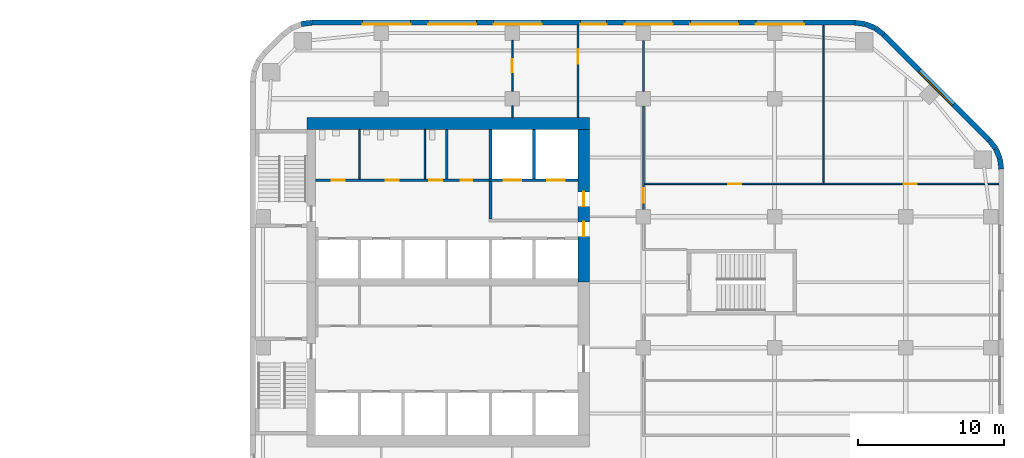
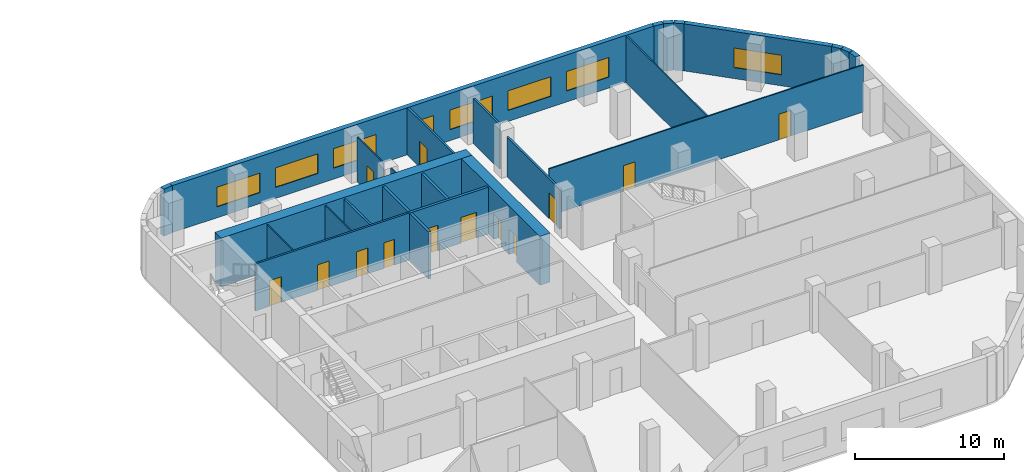
# One storey, part 10 of 14: 26 walls, 13 doors, 8 windows, 21 openings.
"""IFC4 building model written with IfcOpenShell, lengths in metres."""

from ifc_helpers import new_model, si_unit, direction, frame, frame_2d, origin, place, context, subcontext, project, spatial, rectangle, extrude, material, layer, layer_set, type_object, element, fill, save


model = new_model("IFC4")

# Units and contexts
model_context = context("Model", 3, precision=1e-05, world=origin(), true_north=direction((0.0, 1.0)))
body_context = subcontext(model_context, "Body", "Model", "MODEL_VIEW")
ifc_project = project(units=[si_unit("LENGTHUNIT", "METRE"), si_unit("AREAUNIT", "SQUARE_METRE"), si_unit("VOLUMEUNIT", "CUBIC_METRE"), si_unit("PLANEANGLEUNIT", "RADIAN"), si_unit("MASSUNIT", "GRAM", prefix="KILO")], contexts=[model_context])

# Site, building, storey
site_placement = place(None, origin())
site = spatial("IfcSite", under=ifc_project, at=site_placement, CompositionType="ELEMENT")
building_placement = place(site_placement, origin())
building = spatial("IfcBuilding", under=site, at=building_placement, Name="Cinnabar Reach Civic Tower", CompositionType="ELEMENT")
storey_placement = place(building_placement, frame((0.0, 0.0, 124.0)))
storey = spatial("IfcBuildingStorey", under=building, at=storey_placement, Name="L29", CompositionType="ELEMENT", Elevation=124.0)

# Walls
ifc_material_1 = material(Name="Facing brick with insulated backing", Category="masonry")
ifc_layer_1 = layer(ifc_material_1, 0.36)
ifc_layer_set_1 = layer_set([ifc_layer_1], Name="Brick corner wall")
wall_type_1 = type_object("IfcWallType", Name="Brick corner wall", PredefinedType="STANDARD", material=ifc_layer_set_1)
for number, where, z_axis, x_axis, name in (
    (1, (51.567, 39.2686, 0.0), (0.0, 0.0, 1.0), (-0.13055608231, 0.99144092581, 0.0), "Brick corner wall"),
    (2, (51.4681, 39.9973, 0.0), (0.0, 0.0, 1.0), (-0.382702709855, 0.923871547278, 0.0), "Brick corner wall"),
):
    element("IfcWall", number, at=place(storey_placement, frame(where, z_axis=z_axis, x_axis=x_axis)), inside=storey, type_object=wall_type_1, Name=name, PredefinedType="STANDARD", context=body_context, shape_type="SweptSolid", body=[
        extrude(rectangle(XDim=0.7131, YDim=0.36, at=frame_2d((0.3565, 0.0))), origin(), (0.0, 0.0, 1.0), 3.85),
    ])
for number, where, z_axis, x_axis, name in (
    (3, (51.184, 40.6755, 0.0), (0.0, 0.0, 1.0), (-0.608802368033, 0.793321924995, 0.0), "Brick corner wall"),
    (4, (43.4913, 48.4998, 0.0), (0.0, 0.0, 1.0), (-0.793321924995, 0.608802368033, 0.0), "Brick corner wall"),
):
    element("IfcWall", number, at=place(storey_placement, frame(where, z_axis=z_axis, x_axis=x_axis)), inside=storey, type_object=wall_type_1, Name=name, PredefinedType="STANDARD", context=body_context, shape_type="SweptSolid", body=[
        extrude(rectangle(XDim=0.7132, YDim=0.36, at=frame_2d((0.3566, 0.0))), origin(), (0.0, 0.0, 1.0), 3.85),
    ])
for number, where, z_axis, x_axis, name in (
    (5, (42.9061, 48.9452, 0.0), (0.0, 0.0, 1.0), (-0.923871547278, 0.382702709855, 0.0), "Brick corner wall"),
    (6, (42.2256, 49.2239, 0.0), (0.0, 0.0, 1.0), (-0.99144092581, 0.13055608231, 0.0), "Brick corner wall"),
    (7, (4.2314, 49.317, 0.0), (0.0, 0.0, 1.0), (-0.99144092581, -0.13055608231, 0.0), "Brick corner wall"),
):
    element("IfcWall", number, at=place(storey_placement, frame(where, z_axis=z_axis, x_axis=x_axis)), inside=storey, type_object=wall_type_1, Name=name, PredefinedType="STANDARD", context=body_context, shape_type="SweptSolid", body=[
        extrude(rectangle(XDim=0.7131, YDim=0.36, at=frame_2d((0.3565, 0.0))), origin(), (0.0, 0.0, 1.0), 3.85),
    ])

# Wall, opening, window
ifc_layer_2 = layer(ifc_material_1, 0.36)
ifc_layer_set_2 = layer_set([ifc_layer_2], Name="Brick pier and spandrel wall")
wall_type_2 = type_object("IfcWallType", Name="Brick pier and spandrel wall", PredefinedType="STANDARD", material=ifc_layer_set_2)
wall_1_placement = place(storey_placement, frame((50.744, 41.2514, 0.0), z_axis=(0.0, 0.0, 1.0), x_axis=(-0.707106781187, 0.707106781187, 0.0)))
wall_1 = element("IfcWall", 8, at=wall_1_placement, inside=storey, type_object=wall_type_2, Name="Brick facade wall", PredefinedType="STANDARD", context=body_context, shape_type="SweptSolid", body=[
    extrude(rectangle(XDim=10.2426, YDim=0.36, at=frame_2d((5.1213, 0.0))), origin(), (0.0, 0.0, 1.0), 3.85),
])
opening_1_placement = place(wall_1_placement, frame((3.4713, 0.0, 0.9)))
opening_1 = element("IfcOpeningElement", 9, at=opening_1_placement, cuts=wall_1, Name="Opening W1623", PredefinedType="OPENING", context=body_context, shape_type="SweptSolid", body=[
    extrude(rectangle(XDim=3.3, YDim=1.6, at=frame_2d((1.65, 0.8))), frame((0.0, 0.19, 0.0), z_axis=(0.0, -1.0, 0.0), x_axis=(1.0, 0.0, 0.0)), (0.0, 0.0, 1.0), 0.38),
])
ifc_material_2 = material(Name="Clear double glazing in aluminium frame", Category="aluminium")
window_type_1 = type_object("IfcWindowType", Name="Deep-set window A", PartitioningType="SINGLE_PANEL", PredefinedType="WINDOW", material=ifc_material_2)
window_1_placement = place(opening_1_placement, origin())
window_1 = element("IfcWindow", 10, at=window_1_placement, inside=storey, type_object=window_type_1, Name="Window northeast face", OverallHeight=1.6, OverallWidth=3.3, PartitioningType="SINGLE_PANEL", PredefinedType="WINDOW", context=body_context, shape_type="SweptSolid", body=[
    extrude(rectangle(XDim=3.3, YDim=1.6, at=frame_2d((1.65, 0.8))), frame((0.0, 0.13, 0.0), z_axis=(0.0, -1.0, 0.0), x_axis=(1.0, 0.0, 0.0)), (0.0, 0.0, 1.0), 0.06),
])
fill(opening_1, window_1)

# Wall, openings, windows
wall_2_placement = place(storey_placement, frame((41.5074, 49.32, 0.0), z_axis=(0.0, 0.0, 1.0), x_axis=(-1.0, 0.0, 0.0)))
wall_2 = element("IfcWall", 11, at=wall_2_placement, inside=storey, type_object=wall_type_2, Name="Brick facade wall", PredefinedType="STANDARD", context=body_context, shape_type="SweptSolid", body=[
    extrude(rectangle(XDim=37.2648, YDim=0.36, at=frame_2d((18.6324, 0.0))), origin(), (0.0, 0.0, 1.0), 3.85),
])
opening_2_placement = place(wall_2_placement, frame((3.4824, 0.0, 0.9)))
opening_2 = element("IfcOpeningElement", 12, at=opening_2_placement, cuts=wall_2, Name="Opening W1624", PredefinedType="OPENING", context=body_context, shape_type="SweptSolid", body=[
    extrude(rectangle(XDim=3.3, YDim=1.6, at=frame_2d((1.65, 0.8))), frame((0.0, 0.19, 0.0), z_axis=(0.0, -1.0, 0.0), x_axis=(1.0, 0.0, 0.0)), (0.0, 0.0, 1.0), 0.38),
])
opening_3_placement = place(wall_2_placement, frame((7.9824, 0.0, 0.9)))
opening_3 = element("IfcOpeningElement", 13, at=opening_3_placement, cuts=wall_2, Name="Opening W1625", PredefinedType="OPENING", context=body_context, shape_type="SweptSolid", body=[
    extrude(rectangle(XDim=3.3, YDim=1.6, at=frame_2d((1.65, 0.8))), frame((0.0, 0.19, 0.0), z_axis=(0.0, -1.0, 0.0), x_axis=(1.0, 0.0, 0.0)), (0.0, 0.0, 1.0), 0.38),
])
opening_4_placement = place(wall_2_placement, frame((12.4824, 0.0, 0.9)))
opening_4 = element("IfcOpeningElement", 14, at=opening_4_placement, cuts=wall_2, Name="Opening W1626", PredefinedType="OPENING", context=body_context, shape_type="SweptSolid", body=[
    extrude(rectangle(XDim=3.3, YDim=1.6, at=frame_2d((1.65, 0.8))), frame((0.0, 0.19, 0.0), z_axis=(0.0, -1.0, 0.0), x_axis=(1.0, 0.0, 0.0)), (0.0, 0.0, 1.0), 0.38),
])
opening_5_placement = place(wall_2_placement, frame((17.0324, 0.0, 0.9)))
opening_5 = element("IfcOpeningElement", 15, at=opening_5_placement, cuts=wall_2, Name="Opening W1627", PredefinedType="OPENING", context=body_context, shape_type="SweptSolid", body=[
    extrude(rectangle(XDim=1.8, YDim=1.6, at=frame_2d((0.9, 0.8))), frame((0.0, 0.19, 0.0), z_axis=(0.0, -1.0, 0.0), x_axis=(1.0, 0.0, 0.0)), (0.0, 0.0, 1.0), 0.38),
])
opening_6_placement = place(wall_2_placement, frame((21.4824, 0.0, 0.9)))
opening_6 = element("IfcOpeningElement", 16, at=opening_6_placement, cuts=wall_2, Name="Opening W1628", PredefinedType="OPENING", context=body_context, shape_type="SweptSolid", body=[
    extrude(rectangle(XDim=3.3, YDim=1.6, at=frame_2d((1.65, 0.8))), frame((0.0, 0.19, 0.0), z_axis=(0.0, -1.0, 0.0), x_axis=(1.0, 0.0, 0.0)), (0.0, 0.0, 1.0), 0.38),
])
opening_7_placement = place(wall_2_placement, frame((25.9824, 0.0, 0.9)))
opening_7 = element("IfcOpeningElement", 17, at=opening_7_placement, cuts=wall_2, Name="Opening W1629", PredefinedType="OPENING", context=body_context, shape_type="SweptSolid", body=[
    extrude(rectangle(XDim=3.3, YDim=1.6, at=frame_2d((1.65, 0.8))), frame((0.0, 0.19, 0.0), z_axis=(0.0, -1.0, 0.0), x_axis=(1.0, 0.0, 0.0)), (0.0, 0.0, 1.0), 0.38),
])
opening_8_placement = place(wall_2_placement, frame((30.4824, 0.0, 0.9)))
opening_8 = element("IfcOpeningElement", 18, at=opening_8_placement, cuts=wall_2, Name="Opening W1630", PredefinedType="OPENING", context=body_context, shape_type="SweptSolid", body=[
    extrude(rectangle(XDim=3.3, YDim=1.6, at=frame_2d((1.65, 0.8))), frame((0.0, 0.19, 0.0), z_axis=(0.0, -1.0, 0.0), x_axis=(1.0, 0.0, 0.0)), (0.0, 0.0, 1.0), 0.38),
])
window_2_placement = place(opening_2_placement, origin())
window_2 = element("IfcWindow", 19, at=window_2_placement, inside=storey, type_object=window_type_1, Name="Window north face", OverallHeight=1.6, OverallWidth=3.3, PartitioningType="SINGLE_PANEL", PredefinedType="WINDOW", context=body_context, shape_type="SweptSolid", body=[
    extrude(rectangle(XDim=3.3, YDim=1.6, at=frame_2d((1.65, 0.8))), frame((0.0, 0.13, 0.0), z_axis=(0.0, -1.0, 0.0), x_axis=(1.0, 0.0, 0.0)), (0.0, 0.0, 1.0), 0.06),
])
fill(opening_2, window_2)
window_3_placement = place(opening_3_placement, origin())
window_3 = element("IfcWindow", 20, at=window_3_placement, inside=storey, type_object=window_type_1, Name="Window north face", OverallHeight=1.6, OverallWidth=3.3, PartitioningType="SINGLE_PANEL", PredefinedType="WINDOW", context=body_context, shape_type="SweptSolid", body=[
    extrude(rectangle(XDim=3.3, YDim=1.6, at=frame_2d((1.65, 0.8))), frame((0.0, 0.13, 0.0), z_axis=(0.0, -1.0, 0.0), x_axis=(1.0, 0.0, 0.0)), (0.0, 0.0, 1.0), 0.06),
])
fill(opening_3, window_3)
window_4_placement = place(opening_4_placement, origin())
window_4 = element("IfcWindow", 21, at=window_4_placement, inside=storey, type_object=window_type_1, Name="Window north face", OverallHeight=1.6, OverallWidth=3.3, PartitioningType="SINGLE_PANEL", PredefinedType="WINDOW", context=body_context, shape_type="SweptSolid", body=[
    extrude(rectangle(XDim=3.3, YDim=1.6, at=frame_2d((1.65, 0.8))), frame((0.0, 0.13, 0.0), z_axis=(0.0, -1.0, 0.0), x_axis=(1.0, 0.0, 0.0)), (0.0, 0.0, 1.0), 0.06),
])
fill(opening_4, window_4)
window_5_placement = place(opening_6_placement, origin())
window_5 = element("IfcWindow", 22, at=window_5_placement, inside=storey, type_object=window_type_1, Name="Window north face", OverallHeight=1.6, OverallWidth=3.3, PartitioningType="SINGLE_PANEL", PredefinedType="WINDOW", context=body_context, shape_type="SweptSolid", body=[
    extrude(rectangle(XDim=3.3, YDim=1.6, at=frame_2d((1.65, 0.8))), frame((0.0, 0.13, 0.0), z_axis=(0.0, -1.0, 0.0), x_axis=(1.0, 0.0, 0.0)), (0.0, 0.0, 1.0), 0.06),
])
fill(opening_6, window_5)
window_6_placement = place(opening_7_placement, origin())
window_6 = element("IfcWindow", 23, at=window_6_placement, inside=storey, type_object=window_type_1, Name="Window north face", OverallHeight=1.6, OverallWidth=3.3, PartitioningType="SINGLE_PANEL", PredefinedType="WINDOW", context=body_context, shape_type="SweptSolid", body=[
    extrude(rectangle(XDim=3.3, YDim=1.6, at=frame_2d((1.65, 0.8))), frame((0.0, 0.13, 0.0), z_axis=(0.0, -1.0, 0.0), x_axis=(1.0, 0.0, 0.0)), (0.0, 0.0, 1.0), 0.06),
])
fill(opening_7, window_6)
window_7_placement = place(opening_8_placement, origin())
window_7 = element("IfcWindow", 24, at=window_7_placement, inside=storey, type_object=window_type_1, Name="Window north face", OverallHeight=1.6, OverallWidth=3.3, PartitioningType="SINGLE_PANEL", PredefinedType="WINDOW", context=body_context, shape_type="SweptSolid", body=[
    extrude(rectangle(XDim=3.3, YDim=1.6, at=frame_2d((1.65, 0.8))), frame((0.0, 0.13, 0.0), z_axis=(0.0, -1.0, 0.0), x_axis=(1.0, 0.0, 0.0)), (0.0, 0.0, 1.0), 0.06),
])
fill(opening_8, window_7)
window_type_2 = type_object("IfcWindowType", Name="Deep-set window D", PartitioningType="SINGLE_PANEL", PredefinedType="WINDOW", material=ifc_material_2)
window_8_placement = place(opening_5_placement, origin())
window_8 = element("IfcWindow", 25, at=window_8_placement, inside=storey, type_object=window_type_2, Name="Window north face", OverallHeight=1.6, OverallWidth=1.8, PartitioningType="SINGLE_PANEL", PredefinedType="WINDOW", context=body_context, shape_type="SweptSolid", body=[
    extrude(rectangle(XDim=1.8, YDim=1.6, at=frame_2d((0.9, 0.8))), frame((0.0, 0.13, 0.0), z_axis=(0.0, -1.0, 0.0), x_axis=(1.0, 0.0, 0.0)), (0.0, 0.0, 1.0), 0.06),
])
fill(opening_5, window_8)

# Wall
ifc_material_3 = material(Name="Concrete C70", Category="concrete")
ifc_layer_3 = layer(ifc_material_3, 0.8)
ifc_layer_set_3 = layer_set([ifc_layer_3], Name="Core wall 800 EI 180")
wall_type_3 = type_object("IfcWallType", Name="Core wall 800 EI 180", PredefinedType="SOLIDWALL", material=ifc_layer_set_3)
wall_3_placement = place(storey_placement, frame((23.3, 42.4, 0.0), z_axis=(0.0, 0.0, 1.0), x_axis=(-1.0, 0.0, 0.0)))
element("IfcWall", 26, at=wall_3_placement, inside=storey, type_object=wall_type_3, Name="Core wall T1 L29 N", PredefinedType="SOLIDWALL", context=body_context, shape_type="SweptSolid", body=[
    extrude(rectangle(XDim=19.4, YDim=0.8, at=frame_2d((9.7, 0.0))), origin(), (0.0, 0.0, 1.0), 4.0),
])

# Wall, openings, doors
wall_4_placement = place(storey_placement, frame((22.9, 31.5, 0.0), z_axis=(0.0, 0.0, 1.0), x_axis=(0.0, 1.0, 0.0)))
wall_4 = element("IfcWall", 27, at=wall_4_placement, inside=storey, type_object=wall_type_3, Name="Core wall T1 L29 E2", PredefinedType="SOLIDWALL", context=body_context, shape_type="SweptSolid", body=[
    extrude(rectangle(XDim=10.5, YDim=0.8, at=frame_2d((5.25, 0.0))), origin(), (0.0, 0.0, 1.0), 4.0),
])
opening_9_placement = place(wall_4_placement, frame((3.15, 0.0, 0.0)))
opening_9 = element("IfcOpeningElement", 28, at=opening_9_placement, cuts=wall_4, Name="Opening D4189", PredefinedType="OPENING", context=body_context, shape_type="SweptSolid", body=[
    extrude(rectangle(XDim=1.0, YDim=2.1, at=frame_2d((0.5, 1.05))), frame((0.0, 0.41, 0.0), z_axis=(0.0, -1.0, 0.0), x_axis=(1.0, 0.0, 0.0)), (0.0, 0.0, 1.0), 0.82),
])
opening_10_placement = place(wall_4_placement, frame((5.2, 0.0, 0.0)))
opening_10 = element("IfcOpeningElement", 29, at=opening_10_placement, cuts=wall_4, Name="Opening D4190", PredefinedType="OPENING", context=body_context, shape_type="SweptSolid", body=[
    extrude(rectangle(XDim=1.0, YDim=2.1, at=frame_2d((0.5, 1.05))), frame((0.0, 0.41, 0.0), z_axis=(0.0, -1.0, 0.0), x_axis=(1.0, 0.0, 0.0)), (0.0, 0.0, 1.0), 0.82),
])
ifc_material_4 = material(Name="Timber door leaf in steel frame", Category="steel")
door_type_1 = type_object("IfcDoorType", Name="Firefighting lobby door 1000 x 2100 T1", OperationType="SINGLE_SWING_LEFT", PredefinedType="DOOR", material=ifc_material_4)
door_1_placement = place(opening_10_placement, origin())
door_1 = element("IfcDoor", 30, at=door_1_placement, inside=storey, type_object=door_type_1, Name="Door D4190", OperationType="SINGLE_SWING_RIGHT", OverallHeight=2.1, OverallWidth=1.0, PredefinedType="DOOR", context=body_context, shape_type="SweptSolid", body=[
    extrude(rectangle(XDim=1.0, YDim=2.1, at=frame_2d((0.5, 1.05))), frame((0.0, 0.025, 0.0), z_axis=(0.0, -1.0, 0.0), x_axis=(1.0, 0.0, 0.0)), (0.0, 0.0, 1.0), 0.05),
])
fill(opening_10, door_1)
door_type_2 = type_object("IfcDoorType", Name="Single swing door 1000 x 2100 T1", OperationType="SINGLE_SWING_LEFT", PredefinedType="DOOR", material=ifc_material_4)
door_2_placement = place(opening_9_placement, origin())
door_2 = element("IfcDoor", 31, at=door_2_placement, inside=storey, type_object=door_type_2, Name="Door D4189", OperationType="SINGLE_SWING_RIGHT", OverallHeight=2.1, OverallWidth=1.0, PredefinedType="DOOR", context=body_context, shape_type="SweptSolid", body=[
    extrude(rectangle(XDim=1.0, YDim=2.1, at=frame_2d((0.5, 1.05))), frame((0.0, 0.025, 0.0), z_axis=(0.0, -1.0, 0.0), x_axis=(1.0, 0.0, 0.0)), (0.0, 0.0, 1.0), 0.05),
])
fill(opening_9, door_2)

# Wall, opening, door
ifc_material_5 = material(Name="Gypsum board on steel studs, double layer", Category="steel")
ifc_layer_4 = layer(ifc_material_5, 0.15)
ifc_layer_set_4 = layer_set([ifc_layer_4], Name="Corridor wall 150 T1")
wall_type_4 = type_object("IfcWallType", Name="Corridor wall 150 T1", PredefinedType="PARTITIONING", material=ifc_layer_set_4)
wall_5_placement = place(storey_placement, frame((27.0, 36.5, 0.0), z_axis=(0.0, 0.0, 1.0), x_axis=(0.0, 1.0, 0.0)))
wall_5 = element("IfcWall", 32, at=wall_5_placement, inside=storey, type_object=wall_type_4, Name="Corridor wall 28", PredefinedType="PARTITIONING", context=body_context, shape_type="SweptSolid", body=[
    extrude(rectangle(XDim=7.1, YDim=0.15, at=frame_2d((3.55, 0.0))), origin(), (0.0, 0.0, 1.0), 3.256),
])
opening_11_placement = place(wall_5_placement, frame((0.45, 0.0, 0.0)))
opening_11 = element("IfcOpeningElement", 33, at=opening_11_placement, cuts=wall_5, Name="Opening D4199", PredefinedType="OPENING", context=body_context, shape_type="SweptSolid", body=[
    extrude(rectangle(XDim=1.0, YDim=2.1, at=frame_2d((0.5, 1.05))), frame((0.0, 0.085, 0.0), z_axis=(0.0, -1.0, 0.0), x_axis=(1.0, 0.0, 0.0)), (0.0, 0.0, 1.0), 0.17),
])
door_type_3 = type_object("IfcDoorType", Name="Tenancy entrance door 1000 x 2100 T1", OperationType="SINGLE_SWING_LEFT", PredefinedType="DOOR", material=ifc_material_4)
door_3_placement = place(opening_11_placement, frame((1.0, 0.0, 0.0), z_axis=(0.0, 0.0, 1.0), x_axis=(-1.0, 0.0, 0.0)))
door_3 = element("IfcDoor", 34, at=door_3_placement, inside=storey, type_object=door_type_3, Name="Door D4199", OperationType="SINGLE_SWING_LEFT", OverallHeight=2.1, OverallWidth=1.0, PredefinedType="DOOR", context=body_context, shape_type="SweptSolid", body=[
    extrude(rectangle(XDim=1.0, YDim=2.1, at=frame_2d((0.5, 1.05))), frame((0.0, 0.025, 0.0), z_axis=(0.0, -1.0, 0.0), x_axis=(1.0, 0.0, 0.0)), (0.0, 0.0, 1.0), 0.05),
])
fill(opening_11, door_3)

# Wall
wall_6_placement = place(storey_placement, frame((27.0, 44.6, 0.0), z_axis=(0.0, 0.0, 1.0), x_axis=(0.0, 1.0, 0.0)))
element("IfcWall", 35, at=wall_6_placement, inside=storey, type_object=wall_type_4, Name="Corridor wall 29", PredefinedType="PARTITIONING", context=body_context, shape_type="SweptSolid", body=[
    extrude(rectangle(XDim=3.5, YDim=0.15, at=frame_2d((1.75, 0.0))), origin(), (0.0, 0.0, 1.0), 3.652),
])

# Wall, openings, doors
wall_7_placement = place(storey_placement, frame((4.5, 38.5, 0.0), z_axis=(0.0, 0.0, 1.0), x_axis=(1.0, 0.0, 0.0)))
wall_7 = element("IfcWall", 36, at=wall_7_placement, inside=storey, type_object=wall_type_4, Name="Corridor wall 30", PredefinedType="PARTITIONING", context=body_context, shape_type="SweptSolid", body=[
    extrude(rectangle(XDim=11.9, YDim=0.15, at=frame_2d((5.95, 0.0))), origin(), (0.0, 0.0, 1.0), 3.85),
])
opening_12_placement = place(wall_7_placement, frame((1.1, 0.0, 0.0)))
opening_12 = element("IfcOpeningElement", 37, at=opening_12_placement, cuts=wall_7, Name="Opening D4195", PredefinedType="OPENING", context=body_context, shape_type="SweptSolid", body=[
    extrude(rectangle(XDim=0.9, YDim=2.1, at=frame_2d((0.45, 1.05))), frame((0.0, 0.085, 0.0), z_axis=(0.0, -1.0, 0.0), x_axis=(1.0, 0.0, 0.0)), (0.0, 0.0, 1.0), 0.17),
])
opening_13_placement = place(wall_7_placement, frame((4.8, 0.0, 0.0)))
opening_13 = element("IfcOpeningElement", 38, at=opening_13_placement, cuts=wall_7, Name="Opening D4196", PredefinedType="OPENING", context=body_context, shape_type="SweptSolid", body=[
    extrude(rectangle(XDim=0.9, YDim=2.1, at=frame_2d((0.45, 1.05))), frame((0.0, 0.085, 0.0), z_axis=(0.0, -1.0, 0.0), x_axis=(1.0, 0.0, 0.0)), (0.0, 0.0, 1.0), 0.17),
])
opening_14_placement = place(wall_7_placement, frame((7.8, 0.0, 0.0)))
opening_14 = element("IfcOpeningElement", 39, at=opening_14_placement, cuts=wall_7, Name="Opening D4197", PredefinedType="OPENING", context=body_context, shape_type="SweptSolid", body=[
    extrude(rectangle(XDim=0.9, YDim=2.1, at=frame_2d((0.45, 1.05))), frame((0.0, 0.085, 0.0), z_axis=(0.0, -1.0, 0.0), x_axis=(1.0, 0.0, 0.0)), (0.0, 0.0, 1.0), 0.17),
])
opening_15_placement = place(wall_7_placement, frame((9.95, 0.0, 0.0)))
opening_15 = element("IfcOpeningElement", 40, at=opening_15_placement, cuts=wall_7, Name="Opening D4198", PredefinedType="OPENING", context=body_context, shape_type="SweptSolid", body=[
    extrude(rectangle(XDim=0.8, YDim=2.1, at=frame_2d((0.4, 1.05))), frame((0.0, 0.085, 0.0), z_axis=(0.0, -1.0, 0.0), x_axis=(1.0, 0.0, 0.0)), (0.0, 0.0, 1.0), 0.17),
])
door_type_4 = type_object("IfcDoorType", Name="Riser access door 800 x 2100 T1", OperationType="SINGLE_SWING_LEFT", PredefinedType="DOOR", material=ifc_material_4)
door_4_placement = place(opening_15_placement, origin())
door_4 = element("IfcDoor", 41, at=door_4_placement, inside=storey, type_object=door_type_4, Name="Door D4198", OperationType="SINGLE_SWING_LEFT", OverallHeight=2.1, OverallWidth=0.8, PredefinedType="DOOR", context=body_context, shape_type="SweptSolid", body=[
    extrude(rectangle(XDim=0.8, YDim=2.1, at=frame_2d((0.4, 1.05))), frame((0.0, 0.025, 0.0), z_axis=(0.0, -1.0, 0.0), x_axis=(1.0, 0.0, 0.0)), (0.0, 0.0, 1.0), 0.05),
])
fill(opening_15, door_4)
door_type_5 = type_object("IfcDoorType", Name="Single swing door 900 x 2100 corridor T1", OperationType="SINGLE_SWING_LEFT", PredefinedType="DOOR", material=ifc_material_4)
door_5_placement = place(opening_12_placement, origin())
door_5 = element("IfcDoor", 42, at=door_5_placement, inside=storey, type_object=door_type_5, Name="Door D4195", OperationType="SINGLE_SWING_RIGHT", OverallHeight=2.1, OverallWidth=0.9, PredefinedType="DOOR", context=body_context, shape_type="SweptSolid", body=[
    extrude(rectangle(XDim=0.9, YDim=2.1, at=frame_2d((0.45, 1.05))), frame((0.0, 0.025, 0.0), z_axis=(0.0, -1.0, 0.0), x_axis=(1.0, 0.0, 0.0)), (0.0, 0.0, 1.0), 0.05),
])
fill(opening_12, door_5)
door_6_placement = place(opening_13_placement, origin())
door_6 = element("IfcDoor", 43, at=door_6_placement, inside=storey, type_object=door_type_5, Name="Door D4196", OperationType="SINGLE_SWING_RIGHT", OverallHeight=2.1, OverallWidth=0.9, PredefinedType="DOOR", context=body_context, shape_type="SweptSolid", body=[
    extrude(rectangle(XDim=0.9, YDim=2.1, at=frame_2d((0.45, 1.05))), frame((0.0, 0.025, 0.0), z_axis=(0.0, -1.0, 0.0), x_axis=(1.0, 0.0, 0.0)), (0.0, 0.0, 1.0), 0.05),
])
fill(opening_13, door_6)
door_7_placement = place(opening_14_placement, origin())
door_7 = element("IfcDoor", 44, at=door_7_placement, inside=storey, type_object=door_type_5, Name="Door D4197", OperationType="SINGLE_SWING_RIGHT", OverallHeight=2.1, OverallWidth=0.9, PredefinedType="DOOR", context=body_context, shape_type="SweptSolid", body=[
    extrude(rectangle(XDim=0.9, YDim=2.1, at=frame_2d((0.45, 1.05))), frame((0.0, 0.025, 0.0), z_axis=(0.0, -1.0, 0.0), x_axis=(1.0, 0.0, 0.0)), (0.0, 0.0, 1.0), 0.05),
])
fill(opening_14, door_7)

# Wall, opening, door
wall_8_placement = place(storey_placement, frame((22.5, 42.8, 0.0), z_axis=(0.0, 0.0, 1.0), x_axis=(0.0, 1.0, 0.0)))
wall_8 = element("IfcWall", 45, at=wall_8_placement, inside=storey, type_object=wall_type_4, Name="Corridor wall 33", PredefinedType="PARTITIONING", context=body_context, shape_type="SweptSolid", body=[
    extrude(rectangle(XDim=6.34, YDim=0.15, at=frame_2d((3.17, 0.0))), origin(), (0.0, 0.0, 1.0), 3.85),
])
opening_16_placement = place(wall_8_placement, frame((3.7, 0.0, 0.0)))
opening_16 = element("IfcOpeningElement", 46, at=opening_16_placement, cuts=wall_8, Name="Opening D4210", PredefinedType="OPENING", context=body_context, shape_type="SweptSolid", body=[
    extrude(rectangle(XDim=1.0, YDim=2.1, at=frame_2d((0.5, 1.05))), frame((0.0, 0.085, 0.0), z_axis=(0.0, -1.0, 0.0), x_axis=(1.0, 0.0, 0.0)), (0.0, 0.0, 1.0), 0.17),
])
door_8_placement = place(opening_16_placement, origin())
door_8 = element("IfcDoor", 47, at=door_8_placement, inside=storey, type_object=door_type_3, Name="Door D4210", OperationType="SINGLE_SWING_RIGHT", OverallHeight=2.1, OverallWidth=1.0, PredefinedType="DOOR", context=body_context, shape_type="SweptSolid", body=[
    extrude(rectangle(XDim=1.0, YDim=2.1, at=frame_2d((0.5, 1.05))), frame((0.0, 0.025, 0.0), z_axis=(0.0, -1.0, 0.0), x_axis=(1.0, 0.0, 0.0)), (0.0, 0.0, 1.0), 0.05),
])
fill(opening_16, door_8)

# Walls
ifc_material_6 = material(Name="Blockwork", Category="masonry")
ifc_layer_5 = layer(ifc_material_6, 0.2)
ifc_layer_set_5 = layer_set([ifc_layer_5], Name="Lift shaft wall 200 T1")
wall_type_5 = type_object("IfcWallType", Name="Lift shaft wall 200 T1", PredefinedType="PARTITIONING", material=ifc_layer_set_5)
for number, where, z_axis, x_axis, name in (
    (48, (16.5, 38.6, 0.0), (0.0, 0.0, 1.0), (0.0, 1.0, 0.0), "Lift shaft wall 6"),
    (49, (19.5, 38.6, 0.0), (0.0, 0.0, 1.0), (0.0, 1.0, 0.0), "Lift shaft wall 7"),
):
    element("IfcWall", number, at=place(storey_placement, frame(where, z_axis=z_axis, x_axis=x_axis)), inside=storey, type_object=wall_type_5, Name=name, PredefinedType="PARTITIONING", context=body_context, shape_type="SweptSolid", body=[
        extrude(rectangle(XDim=3.4, YDim=0.2, at=frame_2d((1.7, 0.0))), origin(), (0.0, 0.0, 1.0), 3.85),
    ])

# Wall, openings, doors
ifc_material_7 = material(Name="Gypsum board on steel studs", Category="steel")
ifc_layer_6 = layer(ifc_material_7, 0.1)
ifc_layer_set_6 = layer_set([ifc_layer_6], Name="Partition wall 100 T1")
wall_type_6 = type_object("IfcWallType", Name="Partition wall 100 T1", PredefinedType="PARTITIONING", material=ifc_layer_set_6)
wall_9_placement = place(storey_placement, frame((27.075, 38.25, 0.0), z_axis=(0.0, 0.0, 1.0), x_axis=(1.0, 0.0, 0.0)))
wall_9 = element("IfcWall", 50, at=wall_9_placement, inside=storey, type_object=wall_type_6, Name="Partition wall 42", PredefinedType="PARTITIONING", context=body_context, shape_type="SweptSolid", body=[
    extrude(rectangle(XDim=24.315, YDim=0.1, at=frame_2d((12.1575, 0.0))), origin(), (0.0, 0.0, 1.0), 3.85),
])
opening_17_placement = place(wall_9_placement, frame((5.75, 0.0, 0.0)))
opening_17 = element("IfcOpeningElement", 51, at=opening_17_placement, cuts=wall_9, Name="Opening D4200", PredefinedType="OPENING", context=body_context, shape_type="SweptSolid", body=[
    extrude(rectangle(XDim=0.9, YDim=2.1, at=frame_2d((0.45, 1.05))), frame((0.0, 0.06, 0.0), z_axis=(0.0, -1.0, 0.0), x_axis=(1.0, 0.0, 0.0)), (0.0, 0.0, 1.0), 0.12),
])
opening_18_placement = place(wall_9_placement, frame((17.8, 0.0, 0.0)))
opening_18 = element("IfcOpeningElement", 52, at=opening_18_placement, cuts=wall_9, Name="Opening D4201", PredefinedType="OPENING", context=body_context, shape_type="SweptSolid", body=[
    extrude(rectangle(XDim=0.9, YDim=2.1, at=frame_2d((0.45, 1.05))), frame((0.0, 0.06, 0.0), z_axis=(0.0, -1.0, 0.0), x_axis=(1.0, 0.0, 0.0)), (0.0, 0.0, 1.0), 0.12),
])
door_type_6 = type_object("IfcDoorType", Name="Single swing door 900 x 2100 T1", OperationType="SINGLE_SWING_LEFT", PredefinedType="DOOR", material=ifc_material_4)
door_9_placement = place(opening_17_placement, origin())
door_9 = element("IfcDoor", 53, at=door_9_placement, inside=storey, type_object=door_type_6, Name="Door D4200", OperationType="SINGLE_SWING_RIGHT", OverallHeight=2.1, OverallWidth=0.9, PredefinedType="DOOR", context=body_context, shape_type="SweptSolid", body=[
    extrude(rectangle(XDim=0.9, YDim=2.1, at=frame_2d((0.45, 1.05))), frame((0.0, 0.025, 0.0), z_axis=(0.0, -1.0, 0.0), x_axis=(1.0, 0.0, 0.0)), (0.0, 0.0, 1.0), 0.05),
])
fill(opening_17, door_9)
door_10_placement = place(opening_18_placement, origin())
door_10 = element("IfcDoor", 54, at=door_10_placement, inside=storey, type_object=door_type_6, Name="Door D4201", OperationType="SINGLE_SWING_LEFT", OverallHeight=2.1, OverallWidth=0.9, PredefinedType="DOOR", context=body_context, shape_type="SweptSolid", body=[
    extrude(rectangle(XDim=0.9, YDim=2.1, at=frame_2d((0.45, 1.05))), frame((0.0, 0.025, 0.0), z_axis=(0.0, -1.0, 0.0), x_axis=(1.0, 0.0, 0.0)), (0.0, 0.0, 1.0), 0.05),
])
fill(opening_18, door_10)

# Walls
wall_10_placement = place(storey_placement, frame((39.375, 38.3, 0.0), z_axis=(0.0, 0.0, 1.0), x_axis=(0.0, 1.0, 0.0)))
element("IfcWall", 55, at=wall_10_placement, inside=storey, type_object=wall_type_6, Name="Partition wall 49", PredefinedType="PARTITIONING", context=body_context, shape_type="SweptSolid", body=[
    extrude(rectangle(XDim=10.84, YDim=0.1, at=frame_2d((5.42, 0.0))), origin(), (0.0, 0.0, 1.0), 3.85),
])
wall_11_placement = place(storey_placement, frame((18.0, 42.8, 0.0), z_axis=(0.0, 0.0, 1.0), x_axis=(0.0, 1.0, 0.0)))
element("IfcWall", 56, at=wall_11_placement, inside=storey, type_object=wall_type_6, Name="Partition wall 51", PredefinedType="PARTITIONING", context=body_context, shape_type="SweptSolid", body=[
    extrude(rectangle(XDim=0.8, YDim=0.1, at=frame_2d((0.4, 0.0))), origin(), (0.0, 0.0, 1.0), 3.85),
])

# Wall, opening, door
wall_12_placement = place(storey_placement, frame((18.0, 44.6, 0.0), z_axis=(0.0, 0.0, 1.0), x_axis=(0.0, 1.0, 0.0)))
wall_12 = element("IfcWall", 57, at=wall_12_placement, inside=storey, type_object=wall_type_6, Name="Partition wall 52", PredefinedType="PARTITIONING", context=body_context, shape_type="SweptSolid", body=[
    extrude(rectangle(XDim=3.5, YDim=0.1, at=frame_2d((1.75, 0.0))), origin(), (0.0, 0.0, 1.0), 3.652),
])
opening_19_placement = place(wall_12_placement, frame((1.3, 0.0, 0.0)))
opening_19 = element("IfcOpeningElement", 58, at=opening_19_placement, cuts=wall_12, Name="Opening D4211", PredefinedType="OPENING", context=body_context, shape_type="SweptSolid", body=[
    extrude(rectangle(XDim=0.9, YDim=2.1, at=frame_2d((0.45, 1.05))), frame((0.0, 0.06, 0.0), z_axis=(0.0, -1.0, 0.0), x_axis=(1.0, 0.0, 0.0)), (0.0, 0.0, 1.0), 0.12),
])
door_11_placement = place(opening_19_placement, frame((0.9, 0.0, 0.0), z_axis=(0.0, 0.0, 1.0), x_axis=(-1.0, 0.0, 0.0)))
door_11 = element("IfcDoor", 59, at=door_11_placement, inside=storey, type_object=door_type_6, Name="Door D4211", OperationType="SINGLE_SWING_LEFT", OverallHeight=2.1, OverallWidth=0.9, PredefinedType="DOOR", context=body_context, shape_type="SweptSolid", body=[
    extrude(rectangle(XDim=0.9, YDim=2.1, at=frame_2d((0.45, 1.05))), frame((0.0, 0.025, 0.0), z_axis=(0.0, -1.0, 0.0), x_axis=(1.0, 0.0, 0.0)), (0.0, 0.0, 1.0), 0.05),
])
fill(opening_19, door_11)

# Walls
for number, where, z_axis, x_axis, name in (
    (60, (7.5, 38.575, 0.0), (0.0, 0.0, 1.0), (0.0, 1.0, 0.0), "Partition wall 53"),
    (61, (12.0, 38.575, 0.0), (0.0, 0.0, 1.0), (0.0, 1.0, 0.0), "Partition wall 54"),
):
    element("IfcWall", number, at=place(storey_placement, frame(where, z_axis=z_axis, x_axis=x_axis)), inside=storey, type_object=wall_type_6, Name=name, PredefinedType="PARTITIONING", context=body_context, shape_type="SweptSolid", body=[
        extrude(rectangle(XDim=3.425, YDim=0.1, at=frame_2d((1.7125, 0.0))), origin(), (0.0, 0.0, 1.0), 3.85),
    ])

# Wall, openings, doors
ifc_material_8 = material(Name="Concrete C40", Category="concrete")
ifc_layer_7 = layer(ifc_material_8, 0.2)
ifc_layer_set_7 = layer_set([ifc_layer_7], Name="Refuge compartment wall 200 T1")
wall_type_7 = type_object("IfcWallType", Name="Refuge compartment wall 200 T1", PredefinedType="PARTITIONING", material=ifc_layer_set_7)
wall_13_placement = place(storey_placement, frame((16.4, 38.5, 0.0), z_axis=(0.0, 0.0, 1.0), x_axis=(1.0, 0.0, 0.0)))
wall_13 = element("IfcWall", 62, at=wall_13_placement, inside=storey, type_object=wall_type_7, Name="Refuge compartment wall 2", PredefinedType="PARTITIONING", context=body_context, shape_type="SweptSolid", body=[
    extrude(rectangle(XDim=6.1, YDim=0.2, at=frame_2d((3.05, 0.0))), origin(), (0.0, 0.0, 1.0), 3.85),
])
opening_20_placement = place(wall_13_placement, frame((1.0, 0.0, 0.0)))
opening_20 = element("IfcOpeningElement", 63, at=opening_20_placement, cuts=wall_13, Name="Opening D4186", PredefinedType="OPENING", context=body_context, shape_type="SweptSolid", body=[
    extrude(rectangle(XDim=1.2, YDim=2.1, at=frame_2d((0.6, 1.05))), frame((0.0, 0.11, 0.0), z_axis=(0.0, -1.0, 0.0), x_axis=(1.0, 0.0, 0.0)), (0.0, 0.0, 1.0), 0.22),
])
opening_21_placement = place(wall_13_placement, frame((4.0, 0.0, 0.0)))
opening_21 = element("IfcOpeningElement", 64, at=opening_21_placement, cuts=wall_13, Name="Opening D4187", PredefinedType="OPENING", context=body_context, shape_type="SweptSolid", body=[
    extrude(rectangle(XDim=1.2, YDim=2.1, at=frame_2d((0.6, 1.05))), frame((0.0, 0.11, 0.0), z_axis=(0.0, -1.0, 0.0), x_axis=(1.0, 0.0, 0.0)), (0.0, 0.0, 1.0), 0.22),
])
ifc_material_9 = material(Name="Stainless steel sliding door", Category="steel")
door_type_7 = type_object("IfcDoorType", Name="Firefighting lift landing door 1200 x 2100 T1", OperationType="SLIDING_TO_LEFT", PredefinedType="DOOR", material=ifc_material_9)
door_12_placement = place(opening_20_placement, origin())
door_12 = element("IfcDoor", 65, at=door_12_placement, inside=storey, type_object=door_type_7, Name="Lift landing door FF1 L29", OperationType="SLIDING_TO_LEFT", OverallHeight=2.1, OverallWidth=1.2, PredefinedType="DOOR", context=body_context, shape_type="SweptSolid", body=[
    extrude(rectangle(XDim=1.2, YDim=2.1, at=frame_2d((0.6, 1.05))), frame((0.0, 0.025, 0.0), z_axis=(0.0, -1.0, 0.0), x_axis=(1.0, 0.0, 0.0)), (0.0, 0.0, 1.0), 0.05),
])
fill(opening_20, door_12)
door_13_placement = place(opening_21_placement, origin())
door_13 = element("IfcDoor", 66, at=door_13_placement, inside=storey, type_object=door_type_7, Name="Lift landing door FF2 L29", OperationType="SLIDING_TO_LEFT", OverallHeight=2.1, OverallWidth=1.2, PredefinedType="DOOR", context=body_context, shape_type="SweptSolid", body=[
    extrude(rectangle(XDim=1.2, YDim=2.1, at=frame_2d((0.6, 1.05))), frame((0.0, 0.025, 0.0), z_axis=(0.0, -1.0, 0.0), x_axis=(1.0, 0.0, 0.0)), (0.0, 0.0, 1.0), 0.05),
])
fill(opening_21, door_13)

# Walls
wall_14_placement = place(storey_placement, frame((16.5, 35.85, 0.0), z_axis=(0.0, 0.0, 1.0), x_axis=(0.0, 1.0, 0.0)))
element("IfcWall", 67, at=wall_14_placement, inside=storey, type_object=wall_type_7, Name="Refuge compartment wall 3", PredefinedType="PARTITIONING", context=body_context, shape_type="SweptSolid", body=[
    extrude(rectangle(XDim=2.55, YDim=0.2, at=frame_2d((1.275, 0.0))), origin(), (0.0, 0.0, 1.0), 3.85),
])
ifc_layer_8 = layer(ifc_material_6, 0.15)
ifc_layer_set_8 = layer_set([ifc_layer_8], Name="Riser wall 150 T1")
wall_type_8 = type_object("IfcWallType", Name="Riser wall 150 T1", PredefinedType="PARTITIONING", material=ifc_layer_set_8)
wall_15_placement = place(storey_placement, frame((13.5, 38.575, 0.0), z_axis=(0.0, 0.0, 1.0), x_axis=(0.0, 1.0, 0.0)))
element("IfcWall", 68, at=wall_15_placement, inside=storey, type_object=wall_type_8, Name="Riser wall 39", PredefinedType="PARTITIONING", context=body_context, shape_type="SweptSolid", body=[
    extrude(rectangle(XDim=3.425, YDim=0.15, at=frame_2d((1.7125, 0.0))), origin(), (0.0, 0.0, 1.0), 3.85),
])

save(model, "model.ifc")
